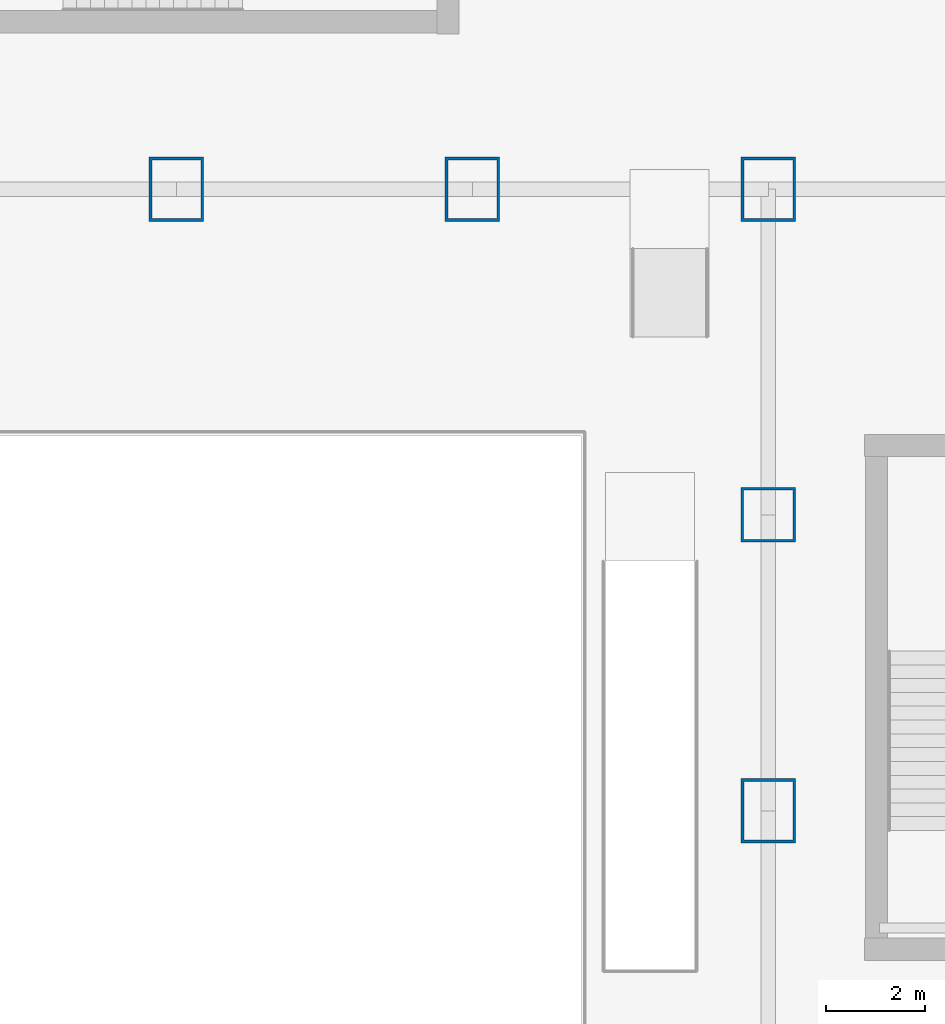
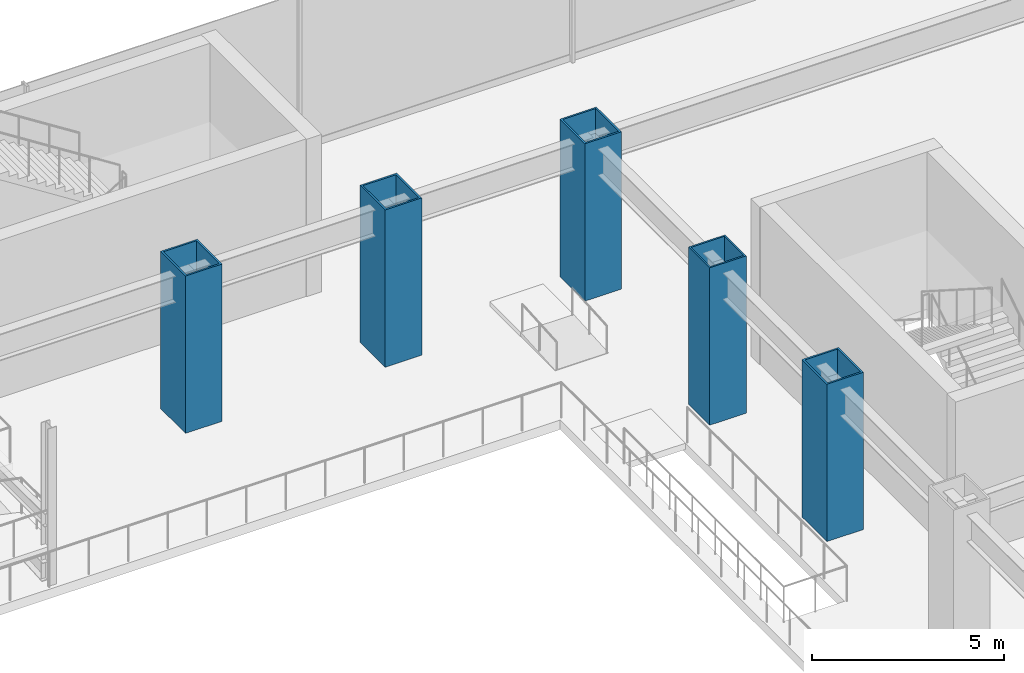
# One storey, part 3 of 39: 5 columns.
"""IFC4 building model written with IfcOpenShell, lengths in metres."""

from ifc_helpers import new_model, si_unit, derived_unit, direction, frame, origin, origin_2d, place, context, subcontext, project, spatial, hollow_rectangle, extrude, source, transform, mapped, material, material_profile, profile_set, type_object, element, save


model = new_model("IFC4")

# Units and contexts
model_context = context("Model", 3, precision=1e-05, world=origin(), true_north=direction((0.0, 1.0)))
body_context = subcontext(model_context, "Body", "Model", "MODEL_VIEW")
ifc_project = project(units=[si_unit("LENGTHUNIT", "METRE"), si_unit("AREAUNIT", "SQUARE_METRE"), si_unit("VOLUMEUNIT", "CUBIC_METRE"), si_unit("PLANEANGLEUNIT", "RADIAN"), si_unit("MASSUNIT", "GRAM", prefix="KILO"), derived_unit("THERMALTRANSMITTANCEUNIT", [(si_unit("POWERUNIT", "WATT"), 1), (si_unit("LENGTHUNIT", "METRE"), -2), (si_unit("THERMODYNAMICTEMPERATUREUNIT", "KELVIN"), -1)])], contexts=[model_context])

# Site, building, storey
site_placement = place(None, origin())
site = spatial("IfcSite", under=ifc_project, at=site_placement, CompositionType="ELEMENT")
building_placement = place(site_placement, origin())
building = spatial("IfcBuilding", under=site, at=building_placement, Name="Skarnbrae Concourse Arena and Tower", CompositionType="ELEMENT")
storey_placement = place(building_placement, frame((0.0, 0.0, 11.0)))
storey = spatial("IfcBuildingStorey", under=building, at=storey_placement, Name="L02", CompositionType="ELEMENT", Elevation=11.0)

# Columns
ifc_material = material(Name="Steel CSA G40.21 350W", Category="steel")
ifc_material_profile_1 = material_profile(ifc_material, hollow_rectangle(XDim=1.10009765625, YDim=1.10009765625, WallThickness=0.050048828125, at=origin_2d()), Name="BOX1100X1100X50")
ifc_profile_set_1 = profile_set([ifc_material_profile_1], Name="Steel CSA G40.21 350W")
column_type_1 = type_object("IfcColumnType", Name="COL-MEGA-BOX1100", PredefinedType="PILASTER", material=ifc_profile_set_1)
shared_shape_1 = source(origin(), body_context, "Body", "SweptSolid", [
    extrude(hollow_rectangle(XDim=1.10009765625, YDim=1.10009765625, WallThickness=0.050048828125, at=origin_2d()), origin(), (0.0, 0.0, 1.0), 5.0),
])
column_placement = place(storey_placement, frame((61.0, 40.39990234375, 0.0), z_axis=(0.0, 0.0, 1.0), x_axis=(1.0, 0.0, 0.0)))
element("IfcColumn", 1, at=column_placement, inside=storey, type_object=column_type_1, Name="L02 Podium mega-column MC-E4", PredefinedType="PILASTER", context=body_context, shape_type="MappedRepresentation", body=[
    mapped(shared_shape_1, transform((0.0, 0.0, 0.0))),
])
ifc_material_profile_2 = material_profile(ifc_material, hollow_rectangle(XDim=1.10009765625, YDim=1.300048828125, WallThickness=0.054931640625, at=origin_2d()), Name="BOX1300X1100X55")
ifc_profile_set_2 = profile_set([ifc_material_profile_2], Name="Steel CSA G40.21 350W")
column_type_2 = type_object("IfcColumnType", Name="COL-MEGA-BOX1300", PredefinedType="PILASTER", material=ifc_profile_set_2)
shared_shape_2 = source(origin(), body_context, "Body", "SweptSolid", [
    extrude(hollow_rectangle(XDim=1.10009765625, YDim=1.300048828125, WallThickness=0.054931640625, at=origin_2d()), origin(), (0.0, 0.0, 1.0), 5.0),
])
for number, where, z_axis, x_axis, name in (
    (2, (49.0, 47.0, 0.0), (0.0, 0.0, 1.0), (1.0, 0.0, 0.0), "L02 Podium mega-column MC-N8"),
    (3, (55.0, 47.0, 0.0), (0.0, 0.0, 1.0), (1.0, 0.0, 0.0), "L02 Podium mega-column MC-N9"),
    (4, (61.0, 47.0, 0.0), (0.0, 0.0, 1.0), (1.0, 0.0, 0.0), "L02 Podium mega-column MC-N10"),
    (5, (61.0, 34.39990234375, 0.0), (0.0, 0.0, 1.0), (1.0, 0.0, 0.0), "L02 Podium mega-column MC-E3"),
):
    element("IfcColumn", number, at=place(storey_placement, frame(where, z_axis=z_axis, x_axis=x_axis)), inside=storey, type_object=column_type_2, Name=name, PredefinedType="PILASTER", context=body_context, shape_type="MappedRepresentation", body=[
        mapped(shared_shape_2, transform((0.0, 0.0, 0.0))),
    ])

save(model, "model.ifc")
